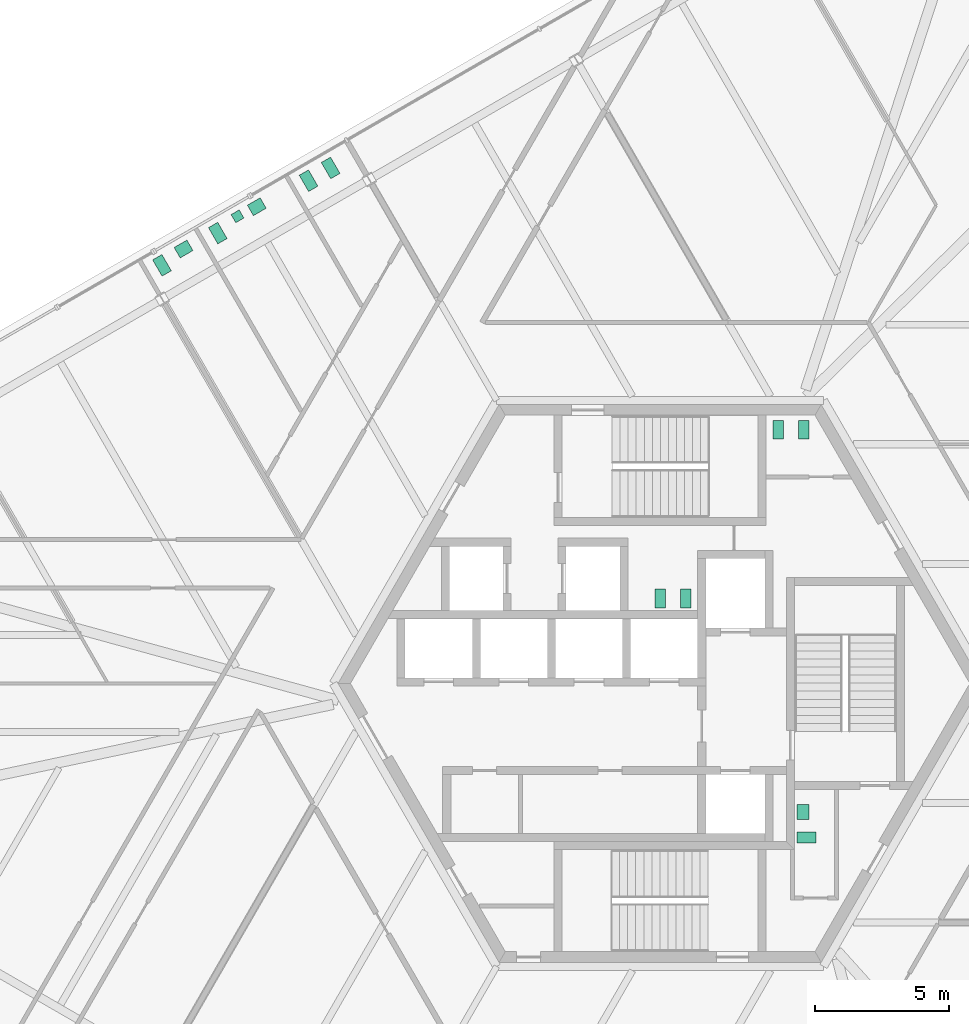
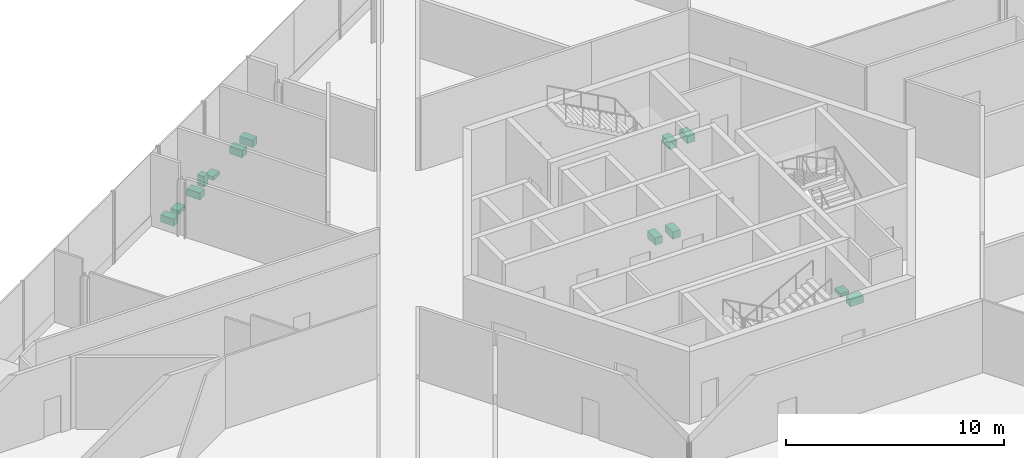
# One storey, part 22 of 22: 13 sanitary terminals.
"""IFC4 building model written with IfcOpenShell, lengths in metres."""

from ifc_helpers import new_model, si_unit, direction, frame, origin, origin_2d, place, context, subcontext, project, spatial, rectangle, extrude, source, transform, mapped, material, element, save


model = new_model("IFC4")

# Units and contexts
model_context = context("Model", 3, precision=1e-05, world=origin(), true_north=direction((0.0, 1.0)))
body_context = subcontext(model_context, "Body", "Model", "MODEL_VIEW")
ifc_project = project(units=[si_unit("LENGTHUNIT", "METRE"), si_unit("AREAUNIT", "SQUARE_METRE"), si_unit("VOLUMEUNIT", "CUBIC_METRE"), si_unit("PLANEANGLEUNIT", "RADIAN"), si_unit("MASSUNIT", "GRAM", prefix="KILO")], contexts=[model_context])

# Site, building, storey
site_placement = place(None, origin())
site = spatial("IfcSite", under=ifc_project, at=site_placement, CompositionType="ELEMENT")
building_placement = place(site_placement, origin())
building = spatial("IfcBuilding", under=site, at=building_placement, Name="Triune Harvest Tower", CompositionType="ELEMENT")
storey_placement = place(building_placement, frame((0.0, 0.0, 50.39990234375)))
storey = spatial("IfcBuildingStorey", under=building, at=storey_placement, Name="L11", CompositionType="ELEMENT", Elevation=50.39990234375)

# Sanitary terminals
ifc_material = material(Name="Vitreous china")
shared_shape_1 = source(origin(), body_context, "Body", "SweptSolid", [
    extrude(rectangle(XDim=0.39990234375, YDim=0.699951171875, at=origin_2d()), origin(), (0.0, 0.0, 1.0), 0.39990234375),
])
for number, where, z_axis, x_axis, name in (
    (1, (4.39990234375, 9.449951171875, 0.000244140625), (0.0, 0.0, 1.0), (1.0, 0.0, 0.0), "Toilet pan L11.c01"),
    (2, (5.35009765625, 9.449951171875, 0.000244140625), (0.0, 0.0, 1.0), (1.0, 0.0, 0.0), "Toilet pan L11.c02"),
    (3, (0.949951171875, 3.159912109375, 0.000244140625), (0.0, 0.0, 1.0), (-1.0, 0.0, 0.0), "Toilet pan L11.c03"),
    (4, (0.0, 3.159912109375, 0.000244140625), (0.0, 0.0, 1.0), (-1.0, 0.0, 0.0), "Toilet pan L11.c04"),
    (5, (5.449951171875, -5.739990234375, 0.000244140625), (0.0, 0.0, 1.0), (0.0, 1.0, 0.0), "Toilet pan L11.c05"),
    (6, (-13.099609375, 18.731201171875, 0.000244140625), (0.0, 0.0, 1.0), (0.866025403784, 0.5, 0.0), "Toilet pan 01"),
    (7, (-12.27685546875, 19.2060546875, 0.000244140625), (0.0, 0.0, 1.0), (0.866025403784, 0.5, 0.0), "Toilet pan 02"),
    (8, (-16.482177734375, 16.778076171875, 0.000244140625), (0.0, 0.0, 1.0), (0.866034130299, 0.499984884929, 0.0), "Toilet pan 03"),
    (9, (-18.560791015625, 15.578125, 0.000244140625), (0.0, 0.0, 1.0), (0.866034130299, 0.499984884929, 0.0), "Toilet pan 06"),
):
    element("IfcSanitaryTerminal", number, at=place(storey_placement, frame(where, z_axis=z_axis, x_axis=x_axis)), inside=storey, material=ifc_material, Name=name, PredefinedType="TOILETPAN", context=body_context, shape_type="MappedRepresentation", body=[
        mapped(shared_shape_1, transform((0.0, 0.0, 0.0), scale=1.0)),
    ])
shared_shape_2 = source(origin(), body_context, "Body", "SweptSolid", [
    extrude(rectangle(XDim=0.35009765625, YDim=0.35009765625, at=origin_2d()), origin(), (0.0, 0.0, 1.0), 0.60009765625),
])
sanitary_terminal_placement = place(storey_placement, frame((-15.7470703125, 17.40478515625, 0.0), z_axis=(0.0, 0.0, 1.0), x_axis=(0.866034130299, 0.499984884929, 0.0)))
element("IfcSanitaryTerminal", 10, at=sanitary_terminal_placement, inside=storey, material=ifc_material, Name="Urinal 04", PredefinedType="URINAL", context=body_context, shape_type="MappedRepresentation", body=[
    mapped(shared_shape_2, transform((0.0, 0.0, 0.0), scale=1.0)),
])
shared_shape_3 = source(origin(), body_context, "Body", "SweptSolid", [
    extrude(rectangle(XDim=0.550048828125, YDim=0.449951171875, at=origin_2d()), origin(), (0.0, 0.0, 1.0), 0.199951171875),
])
for number, where, z_axis, x_axis, name in (
    (11, (5.324951171875, -4.7900390625, 0.0), (0.0, 0.0, 1.0), (0.0, 1.0, 0.0), "Wash basin L11.c06"),
    (12, (-15.029052734375, 17.761474609375, 0.0), (0.0, 0.0, 1.0), (0.866034130299, 0.499984884929, 0.0), "Wash basin 05"),
    (13, (-17.757080078125, 16.186279296875, 0.0), (0.0, 0.0, 1.0), (0.866034130299, 0.499984884929, 0.0), "Wash basin 07"),
):
    element("IfcSanitaryTerminal", number, at=place(storey_placement, frame(where, z_axis=z_axis, x_axis=x_axis)), inside=storey, material=ifc_material, Name=name, PredefinedType="WASHHANDBASIN", context=body_context, shape_type="MappedRepresentation", body=[
        mapped(shared_shape_3, transform((0.0, 0.0, 0.0), scale=1.0)),
    ])

save(model, "model.ifc")
